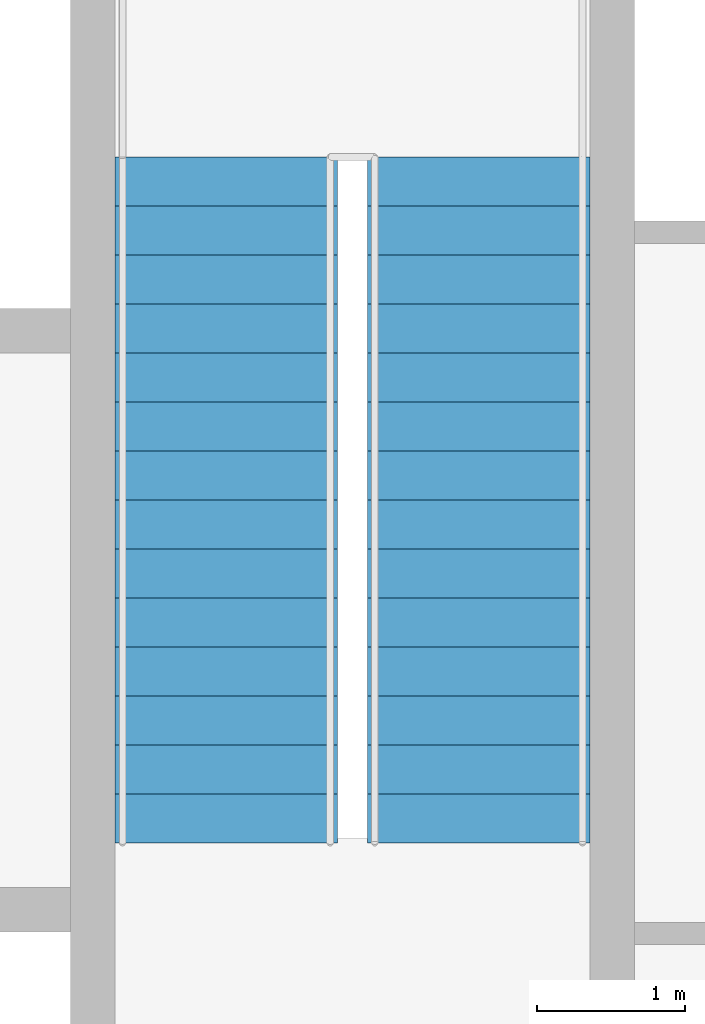
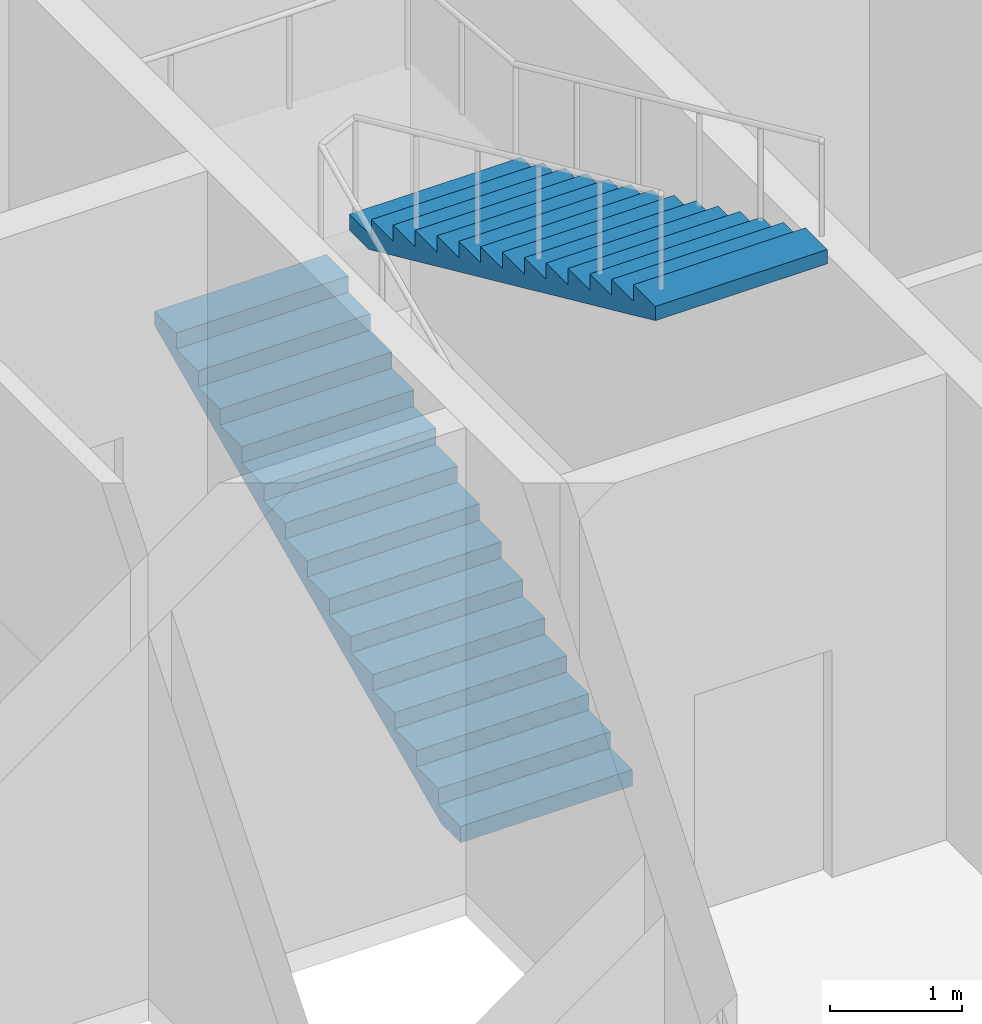
# One storey, part 10 of 11: 2 stair flights, 1 element without a shape of its own.
"""IFC4 building model written with IfcOpenShell, lengths in metres."""

from ifc_helpers import new_model, si_unit, direction, frame, origin, place, context, subcontext, project, spatial, polygons, material, type_object, element, aggregate, save


model = new_model("IFC4")

# Units and contexts
model_context = context("Model", 3, precision=1e-05, world=origin(), true_north=direction((0.0, 1.0)))
body_context = subcontext(model_context, "Body", "Model", "MODEL_VIEW")
ifc_project = project(units=[si_unit("LENGTHUNIT", "METRE"), si_unit("AREAUNIT", "SQUARE_METRE"), si_unit("VOLUMEUNIT", "CUBIC_METRE"), si_unit("PLANEANGLEUNIT", "RADIAN"), si_unit("MASSUNIT", "GRAM", prefix="KILO")], contexts=[model_context])

# Site, building, storey
site_placement = place(None, origin())
site = spatial("IfcSite", under=ifc_project, at=site_placement, CompositionType="ELEMENT")
building_placement = place(site_placement, origin())
building = spatial("IfcBuilding", under=site, at=building_placement, Name="Njiva Tower", CompositionType="ELEMENT")
storey_placement = place(building_placement, frame((0.0, 0.0, 37.8)))
storey = spatial("IfcBuildingStorey", under=building, at=storey_placement, Name="L07", CompositionType="ELEMENT", Elevation=37.8)

# Stair, stair flights
ifc_material = material(Name="Concrete C40/50", Category="concrete")
stair_type = type_object("IfcStairType", Name="ST4 Exit stair 1500", PredefinedType="HALF_TURN_STAIR", material=ifc_material)
stair_placement = place(storey_placement, origin())
stair = element("IfcStair", 1, at=stair_placement, inside=storey, type_object=stair_type, Name="Stair B", PredefinedType="HALF_TURN_STAIR")
stair_flight_type = type_object("IfcStairFlightType", Name="FL4 Stair flight 1500", PredefinedType="STRAIGHT", material=ifc_material)
stair_flight_1_placement = place(storey_placement, frame((11.75, 11.1, 0.0), z_axis=(0.0, 0.0, 1.0), x_axis=(0.0, 1.0, 0.0)))
stair_flight_1 = element("IfcStairFlight", 2, at=stair_flight_1_placement, type_object=stair_flight_type, Name="ST-B flight 1", NumberOfRisers=15, NumberOfTreads=14, PredefinedType="STRAIGHT", RiserHeight=0.15, TreadLength=0.33, context=body_context, shape_type="Tessellation", body=[
    polygons([(0.0, 0.75, 0.0), (0.0, 0.375, 0.0), (0.0, 0.0, 0.0), (0.0, -0.375, 0.0), (0.0, -0.75, 0.0), (0.0, 0.75, 0.15), (0.0, 0.375, 0.15), (0.0, 0.0, 0.15), (0.0, -0.375, 0.15), (0.0, -0.75, 0.15), (0.33, 0.75, 0.15), (0.33, 0.375, 0.15), (0.33, 0.0, 0.15), (0.33, -0.375, 0.15), (0.33, -0.75, 0.15), (0.33, 0.75, 0.3), (0.33, 0.375, 0.3), (0.33, 0.0, 0.3), (0.33, -0.375, 0.3), (0.33, -0.75, 0.3), (0.66, 0.75, 0.3), (0.66, 0.375, 0.3), (0.66, 0.0, 0.3), (0.66, -0.375, 0.3), (0.66, -0.75, 0.3), (0.66, 0.75, 0.45), (0.66, 0.375, 0.45), (0.66, 0.0, 0.45), (0.66, -0.375, 0.45), (0.66, -0.75, 0.45), (0.99, 0.75, 0.45), (0.99, 0.375, 0.45), (0.99, 0.0, 0.45), (0.99, -0.375, 0.45), (0.99, -0.75, 0.45), (0.99, 0.75, 0.6), (0.99, 0.375, 0.6), (0.99, 0.0, 0.6), (0.99, -0.375, 0.6), (0.99, -0.75, 0.6), (1.32, 0.75, 0.6), (1.32, 0.375, 0.6), (1.32, 0.0, 0.6), (1.32, -0.375, 0.6), (1.32, -0.75, 0.6), (1.32, 0.75, 0.75), (1.32, 0.375, 0.75), (1.32, 0.0, 0.75), (1.32, -0.375, 0.75), (1.32, -0.75, 0.75), (1.65, 0.75, 0.75), (1.65, 0.375, 0.75), (1.65, 0.0, 0.75), (1.65, -0.375, 0.75), (1.65, -0.75, 0.75), (1.65, 0.75, 0.9), (1.65, 0.375, 0.9), (1.65, 0.0, 0.9), (1.65, -0.375, 0.9), (1.65, -0.75, 0.9), (1.98, 0.75, 0.9), (1.98, 0.375, 0.9), (1.98, 0.0, 0.9), (1.98, -0.375, 0.9), (1.98, -0.75, 0.9), (1.98, 0.75, 1.05), (1.98, 0.375, 1.05), (1.98, 0.0, 1.05), (1.98, -0.375, 1.05), (1.98, -0.75, 1.05), (2.31, 0.75, 1.05), (2.31, 0.375, 1.05), (2.31, 0.0, 1.05), (2.31, -0.375, 1.05), (2.31, -0.75, 1.05), (2.31, 0.75, 1.2), (2.31, 0.375, 1.2), (2.31, 0.0, 1.2), (2.31, -0.375, 1.2), (2.31, -0.75, 1.2), (2.64, 0.75, 1.2), (2.64, 0.375, 1.2), (2.64, 0.0, 1.2), (2.64, -0.375, 1.2), (2.64, -0.75, 1.2), (2.64, 0.75, 1.35), (2.64, 0.375, 1.35), (2.64, 0.0, 1.35), (2.64, -0.375, 1.35), (2.64, -0.75, 1.35), (2.97, 0.75, 1.35), (2.97, 0.375, 1.35), (2.97, 0.0, 1.35), (2.97, -0.375, 1.35), (2.97, -0.75, 1.35), (2.97, 0.75, 1.5), (2.97, 0.375, 1.5), (2.97, 0.0, 1.5), (2.97, -0.375, 1.5), (2.97, -0.75, 1.5), (3.3, 0.75, 1.5), (3.3, 0.375, 1.5), (3.3, 0.0, 1.5), (3.3, -0.375, 1.5), (3.3, -0.75, 1.5), (3.3, 0.75, 1.65), (3.3, 0.375, 1.65), (3.3, 0.0, 1.65), (3.3, -0.375, 1.65), (3.3, -0.75, 1.65), (3.63, 0.75, 1.65), (3.63, 0.375, 1.65), (3.63, 0.0, 1.65), (3.63, -0.375, 1.65), (3.63, -0.75, 1.65), (3.63, 0.75, 1.8), (3.63, 0.375, 1.8), (3.63, 0.0, 1.8), (3.63, -0.375, 1.8), (3.63, -0.75, 1.8), (3.96, 0.75, 1.8), (3.96, 0.375, 1.8), (3.96, 0.0, 1.8), (3.96, -0.375, 1.8), (3.96, -0.75, 1.8), (3.96, 0.75, 1.95), (3.96, 0.375, 1.95), (3.96, 0.0, 1.95), (3.96, -0.375, 1.95), (3.96, -0.75, 1.95), (4.29, 0.75, 1.95), (4.29, 0.375, 1.95), (4.29, 0.0, 1.95), (4.29, -0.375, 1.95), (4.29, -0.75, 1.95), (4.29, 0.75, 2.1), (4.29, 0.375, 2.1), (4.29, 0.0, 2.1), (4.29, -0.375, 2.1), (4.29, -0.75, 2.1), (4.62, 0.75, 2.1), (4.62, 0.375, 2.1), (4.62, 0.0, 2.1), (4.62, -0.375, 2.1), (4.62, -0.75, 2.1), (4.62, 0.75, 1.9682), (4.62, 0.375, 1.9682), (4.62, 0.0, 1.9682), (4.62, -0.375, 1.9682), (4.62, -0.75, 1.9682), (0.29, 0.75, 0.0), (0.29, 0.375, 0.0), (0.29, 0.0, 0.0), (0.29, -0.375, 0.0), (0.29, -0.75, 0.0)], [[[1, 6, 11, 16, 21, 26, 31, 36, 41, 46, 51, 56, 61, 66, 71, 76, 81, 86, 91, 96, 101, 106, 111, 116, 121, 126, 131, 136, 141, 146, 151]], [[155, 150, 145, 140, 135, 130, 125, 120, 115, 110, 105, 100, 95, 90, 85, 80, 75, 70, 65, 60, 55, 50, 45, 40, 35, 30, 25, 20, 15, 10, 5]], [[6, 1, 2, 7]], [[7, 2, 3, 8]], [[8, 3, 4, 9]], [[9, 4, 5, 10]], [[11, 6, 7, 12]], [[12, 7, 8, 13]], [[13, 8, 9, 14]], [[14, 9, 10, 15]], [[16, 11, 12, 17]], [[17, 12, 13, 18]], [[18, 13, 14, 19]], [[19, 14, 15, 20]], [[21, 16, 17, 22]], [[22, 17, 18, 23]], [[23, 18, 19, 24]], [[24, 19, 20, 25]], [[26, 21, 22, 27]], [[27, 22, 23, 28]], [[28, 23, 24, 29]], [[29, 24, 25, 30]], [[31, 26, 27, 32]], [[32, 27, 28, 33]], [[33, 28, 29, 34]], [[34, 29, 30, 35]], [[36, 31, 32, 37]], [[37, 32, 33, 38]], [[38, 33, 34, 39]], [[39, 34, 35, 40]], [[41, 36, 37, 42]], [[42, 37, 38, 43]], [[43, 38, 39, 44]], [[44, 39, 40, 45]], [[46, 41, 42, 47]], [[47, 42, 43, 48]], [[48, 43, 44, 49]], [[49, 44, 45, 50]], [[51, 46, 47, 52]], [[52, 47, 48, 53]], [[53, 48, 49, 54]], [[54, 49, 50, 55]], [[56, 51, 52, 57]], [[57, 52, 53, 58]], [[58, 53, 54, 59]], [[59, 54, 55, 60]], [[61, 56, 57, 62]], [[62, 57, 58, 63]], [[63, 58, 59, 64]], [[64, 59, 60, 65]], [[66, 61, 62, 67]], [[67, 62, 63, 68]], [[68, 63, 64, 69]], [[69, 64, 65, 70]], [[71, 66, 67, 72]], [[72, 67, 68, 73]], [[73, 68, 69, 74]], [[74, 69, 70, 75]], [[76, 71, 72, 77]], [[77, 72, 73, 78]], [[78, 73, 74, 79]], [[79, 74, 75, 80]], [[81, 76, 77, 82]], [[82, 77, 78, 83]], [[83, 78, 79, 84]], [[84, 79, 80, 85]], [[86, 81, 82, 87]], [[87, 82, 83, 88]], [[88, 83, 84, 89]], [[89, 84, 85, 90]], [[91, 86, 87, 92]], [[92, 87, 88, 93]], [[93, 88, 89, 94]], [[94, 89, 90, 95]], [[96, 91, 92, 97]], [[97, 92, 93, 98]], [[98, 93, 94, 99]], [[99, 94, 95, 100]], [[101, 96, 97, 102]], [[102, 97, 98, 103]], [[103, 98, 99, 104]], [[104, 99, 100, 105]], [[106, 101, 102, 107]], [[107, 102, 103, 108]], [[108, 103, 104, 109]], [[109, 104, 105, 110]], [[111, 106, 107, 112]], [[112, 107, 108, 113]], [[113, 108, 109, 114]], [[114, 109, 110, 115]], [[116, 111, 112, 117]], [[117, 112, 113, 118]], [[118, 113, 114, 119]], [[119, 114, 115, 120]], [[121, 116, 117, 122]], [[122, 117, 118, 123]], [[123, 118, 119, 124]], [[124, 119, 120, 125]], [[126, 121, 122, 127]], [[127, 122, 123, 128]], [[128, 123, 124, 129]], [[129, 124, 125, 130]], [[131, 126, 127, 132]], [[132, 127, 128, 133]], [[133, 128, 129, 134]], [[134, 129, 130, 135]], [[136, 131, 132, 137]], [[137, 132, 133, 138]], [[138, 133, 134, 139]], [[139, 134, 135, 140]], [[141, 136, 137, 142]], [[142, 137, 138, 143]], [[143, 138, 139, 144]], [[144, 139, 140, 145]], [[146, 141, 142, 147]], [[147, 142, 143, 148]], [[148, 143, 144, 149]], [[149, 144, 145, 150]], [[151, 146, 147, 152]], [[152, 147, 148, 153]], [[153, 148, 149, 154]], [[154, 149, 150, 155]], [[1, 151, 152, 2]], [[2, 152, 153, 3]], [[3, 153, 154, 4]], [[4, 154, 155, 5]]], closed=True),
])
stair_flight_2_placement = place(storey_placement, frame((13.45, 15.72, 2.25), z_axis=(0.0, 0.0, 1.0), x_axis=(0.0, -1.0, 0.0)))
stair_flight_2 = element("IfcStairFlight", 3, at=stair_flight_2_placement, type_object=stair_flight_type, Name="ST-B flight 2", NumberOfRisers=15, NumberOfTreads=14, PredefinedType="STRAIGHT", RiserHeight=0.15, TreadLength=0.33, context=body_context, shape_type="Tessellation", body=[
    polygons([(0.0, 0.75, 0.0), (0.0, 0.375, 0.0), (0.0, 0.0, 0.0), (0.0, -0.375, 0.0), (0.0, -0.75, 0.0), (0.0, 0.75, 0.15), (0.0, 0.375, 0.15), (0.0, 0.0, 0.15), (0.0, -0.375, 0.15), (0.0, -0.75, 0.15), (0.33, 0.75, 0.15), (0.33, 0.375, 0.15), (0.33, 0.0, 0.15), (0.33, -0.375, 0.15), (0.33, -0.75, 0.15), (0.33, 0.75, 0.3), (0.33, 0.375, 0.3), (0.33, 0.0, 0.3), (0.33, -0.375, 0.3), (0.33, -0.75, 0.3), (0.66, 0.75, 0.3), (0.66, 0.375, 0.3), (0.66, 0.0, 0.3), (0.66, -0.375, 0.3), (0.66, -0.75, 0.3), (0.66, 0.75, 0.45), (0.66, 0.375, 0.45), (0.66, 0.0, 0.45), (0.66, -0.375, 0.45), (0.66, -0.75, 0.45), (0.99, 0.75, 0.45), (0.99, 0.375, 0.45), (0.99, 0.0, 0.45), (0.99, -0.375, 0.45), (0.99, -0.75, 0.45), (0.99, 0.75, 0.6), (0.99, 0.375, 0.6), (0.99, 0.0, 0.6), (0.99, -0.375, 0.6), (0.99, -0.75, 0.6), (1.32, 0.75, 0.6), (1.32, 0.375, 0.6), (1.32, 0.0, 0.6), (1.32, -0.375, 0.6), (1.32, -0.75, 0.6), (1.32, 0.75, 0.75), (1.32, 0.375, 0.75), (1.32, 0.0, 0.75), (1.32, -0.375, 0.75), (1.32, -0.75, 0.75), (1.65, 0.75, 0.75), (1.65, 0.375, 0.75), (1.65, 0.0, 0.75), (1.65, -0.375, 0.75), (1.65, -0.75, 0.75), (1.65, 0.75, 0.9), (1.65, 0.375, 0.9), (1.65, 0.0, 0.9), (1.65, -0.375, 0.9), (1.65, -0.75, 0.9), (1.98, 0.75, 0.9), (1.98, 0.375, 0.9), (1.98, 0.0, 0.9), (1.98, -0.375, 0.9), (1.98, -0.75, 0.9), (1.98, 0.75, 1.05), (1.98, 0.375, 1.05), (1.98, 0.0, 1.05), (1.98, -0.375, 1.05), (1.98, -0.75, 1.05), (2.31, 0.75, 1.05), (2.31, 0.375, 1.05), (2.31, 0.0, 1.05), (2.31, -0.375, 1.05), (2.31, -0.75, 1.05), (2.31, 0.75, 1.2), (2.31, 0.375, 1.2), (2.31, 0.0, 1.2), (2.31, -0.375, 1.2), (2.31, -0.75, 1.2), (2.64, 0.75, 1.2), (2.64, 0.375, 1.2), (2.64, 0.0, 1.2), (2.64, -0.375, 1.2), (2.64, -0.75, 1.2), (2.64, 0.75, 1.35), (2.64, 0.375, 1.35), (2.64, 0.0, 1.35), (2.64, -0.375, 1.35), (2.64, -0.75, 1.35), (2.97, 0.75, 1.35), (2.97, 0.375, 1.35), (2.97, 0.0, 1.35), (2.97, -0.375, 1.35), (2.97, -0.75, 1.35), (2.97, 0.75, 1.5), (2.97, 0.375, 1.5), (2.97, 0.0, 1.5), (2.97, -0.375, 1.5), (2.97, -0.75, 1.5), (3.3, 0.75, 1.5), (3.3, 0.375, 1.5), (3.3, 0.0, 1.5), (3.3, -0.375, 1.5), (3.3, -0.75, 1.5), (3.3, 0.75, 1.65), (3.3, 0.375, 1.65), (3.3, 0.0, 1.65), (3.3, -0.375, 1.65), (3.3, -0.75, 1.65), (3.63, 0.75, 1.65), (3.63, 0.375, 1.65), (3.63, 0.0, 1.65), (3.63, -0.375, 1.65), (3.63, -0.75, 1.65), (3.63, 0.75, 1.8), (3.63, 0.375, 1.8), (3.63, 0.0, 1.8), (3.63, -0.375, 1.8), (3.63, -0.75, 1.8), (3.96, 0.75, 1.8), (3.96, 0.375, 1.8), (3.96, 0.0, 1.8), (3.96, -0.375, 1.8), (3.96, -0.75, 1.8), (3.96, 0.75, 1.95), (3.96, 0.375, 1.95), (3.96, 0.0, 1.95), (3.96, -0.375, 1.95), (3.96, -0.75, 1.95), (4.29, 0.75, 1.95), (4.29, 0.375, 1.95), (4.29, 0.0, 1.95), (4.29, -0.375, 1.95), (4.29, -0.75, 1.95), (4.29, 0.75, 2.1), (4.29, 0.375, 2.1), (4.29, 0.0, 2.1), (4.29, -0.375, 2.1), (4.29, -0.75, 2.1), (4.62, 0.75, 2.1), (4.62, 0.375, 2.1), (4.62, 0.0, 2.1), (4.62, -0.375, 2.1), (4.62, -0.75, 2.1), (4.62, 0.75, 1.9682), (4.62, 0.375, 1.9682), (4.62, 0.0, 1.9682), (4.62, -0.375, 1.9682), (4.62, -0.75, 1.9682), (0.29, 0.75, 0.0), (0.29, 0.375, 0.0), (0.29, 0.0, 0.0), (0.29, -0.375, 0.0), (0.29, -0.75, 0.0)], [[[1, 6, 11, 16, 21, 26, 31, 36, 41, 46, 51, 56, 61, 66, 71, 76, 81, 86, 91, 96, 101, 106, 111, 116, 121, 126, 131, 136, 141, 146, 151]], [[155, 150, 145, 140, 135, 130, 125, 120, 115, 110, 105, 100, 95, 90, 85, 80, 75, 70, 65, 60, 55, 50, 45, 40, 35, 30, 25, 20, 15, 10, 5]], [[6, 1, 2, 7]], [[7, 2, 3, 8]], [[8, 3, 4, 9]], [[9, 4, 5, 10]], [[11, 6, 7, 12]], [[12, 7, 8, 13]], [[13, 8, 9, 14]], [[14, 9, 10, 15]], [[16, 11, 12, 17]], [[17, 12, 13, 18]], [[18, 13, 14, 19]], [[19, 14, 15, 20]], [[21, 16, 17, 22]], [[22, 17, 18, 23]], [[23, 18, 19, 24]], [[24, 19, 20, 25]], [[26, 21, 22, 27]], [[27, 22, 23, 28]], [[28, 23, 24, 29]], [[29, 24, 25, 30]], [[31, 26, 27, 32]], [[32, 27, 28, 33]], [[33, 28, 29, 34]], [[34, 29, 30, 35]], [[36, 31, 32, 37]], [[37, 32, 33, 38]], [[38, 33, 34, 39]], [[39, 34, 35, 40]], [[41, 36, 37, 42]], [[42, 37, 38, 43]], [[43, 38, 39, 44]], [[44, 39, 40, 45]], [[46, 41, 42, 47]], [[47, 42, 43, 48]], [[48, 43, 44, 49]], [[49, 44, 45, 50]], [[51, 46, 47, 52]], [[52, 47, 48, 53]], [[53, 48, 49, 54]], [[54, 49, 50, 55]], [[56, 51, 52, 57]], [[57, 52, 53, 58]], [[58, 53, 54, 59]], [[59, 54, 55, 60]], [[61, 56, 57, 62]], [[62, 57, 58, 63]], [[63, 58, 59, 64]], [[64, 59, 60, 65]], [[66, 61, 62, 67]], [[67, 62, 63, 68]], [[68, 63, 64, 69]], [[69, 64, 65, 70]], [[71, 66, 67, 72]], [[72, 67, 68, 73]], [[73, 68, 69, 74]], [[74, 69, 70, 75]], [[76, 71, 72, 77]], [[77, 72, 73, 78]], [[78, 73, 74, 79]], [[79, 74, 75, 80]], [[81, 76, 77, 82]], [[82, 77, 78, 83]], [[83, 78, 79, 84]], [[84, 79, 80, 85]], [[86, 81, 82, 87]], [[87, 82, 83, 88]], [[88, 83, 84, 89]], [[89, 84, 85, 90]], [[91, 86, 87, 92]], [[92, 87, 88, 93]], [[93, 88, 89, 94]], [[94, 89, 90, 95]], [[96, 91, 92, 97]], [[97, 92, 93, 98]], [[98, 93, 94, 99]], [[99, 94, 95, 100]], [[101, 96, 97, 102]], [[102, 97, 98, 103]], [[103, 98, 99, 104]], [[104, 99, 100, 105]], [[106, 101, 102, 107]], [[107, 102, 103, 108]], [[108, 103, 104, 109]], [[109, 104, 105, 110]], [[111, 106, 107, 112]], [[112, 107, 108, 113]], [[113, 108, 109, 114]], [[114, 109, 110, 115]], [[116, 111, 112, 117]], [[117, 112, 113, 118]], [[118, 113, 114, 119]], [[119, 114, 115, 120]], [[121, 116, 117, 122]], [[122, 117, 118, 123]], [[123, 118, 119, 124]], [[124, 119, 120, 125]], [[126, 121, 122, 127]], [[127, 122, 123, 128]], [[128, 123, 124, 129]], [[129, 124, 125, 130]], [[131, 126, 127, 132]], [[132, 127, 128, 133]], [[133, 128, 129, 134]], [[134, 129, 130, 135]], [[136, 131, 132, 137]], [[137, 132, 133, 138]], [[138, 133, 134, 139]], [[139, 134, 135, 140]], [[141, 136, 137, 142]], [[142, 137, 138, 143]], [[143, 138, 139, 144]], [[144, 139, 140, 145]], [[146, 141, 142, 147]], [[147, 142, 143, 148]], [[148, 143, 144, 149]], [[149, 144, 145, 150]], [[151, 146, 147, 152]], [[152, 147, 148, 153]], [[153, 148, 149, 154]], [[154, 149, 150, 155]], [[1, 151, 152, 2]], [[2, 152, 153, 3]], [[3, 153, 154, 4]], [[4, 154, 155, 5]]], closed=True),
])
aggregate(stair, [stair_flight_1, stair_flight_2])

save(model, "model.ifc")
